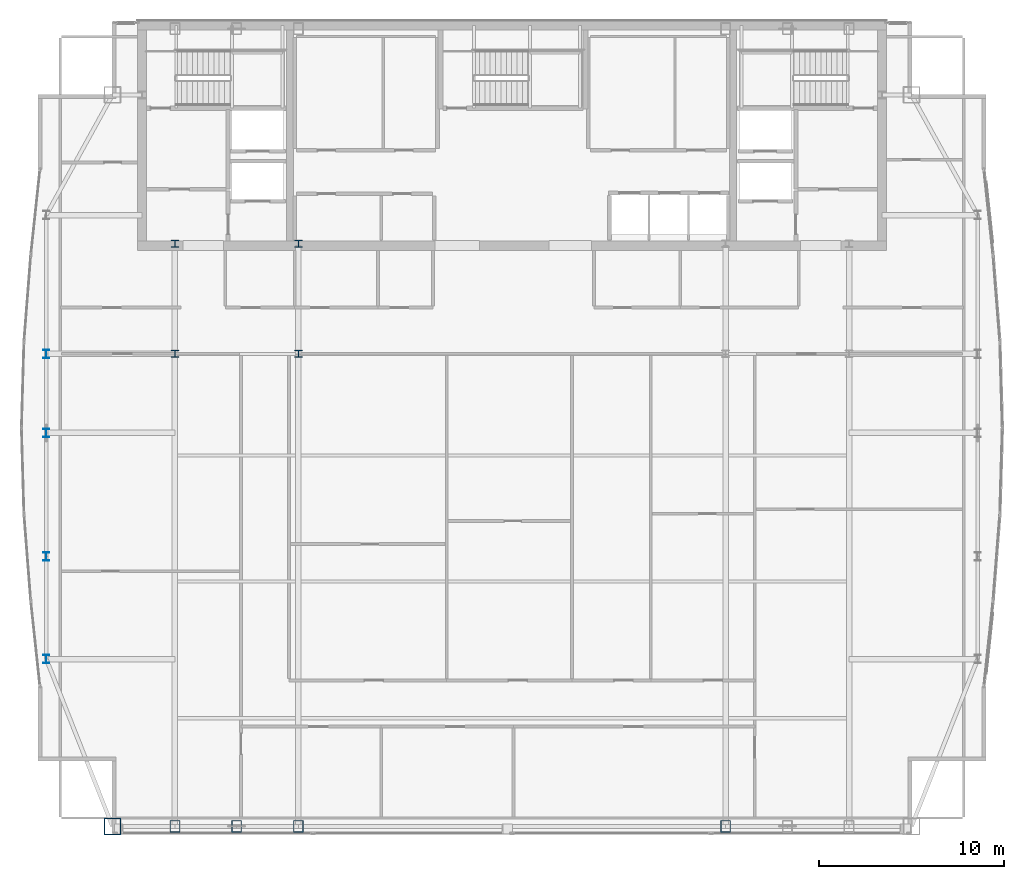
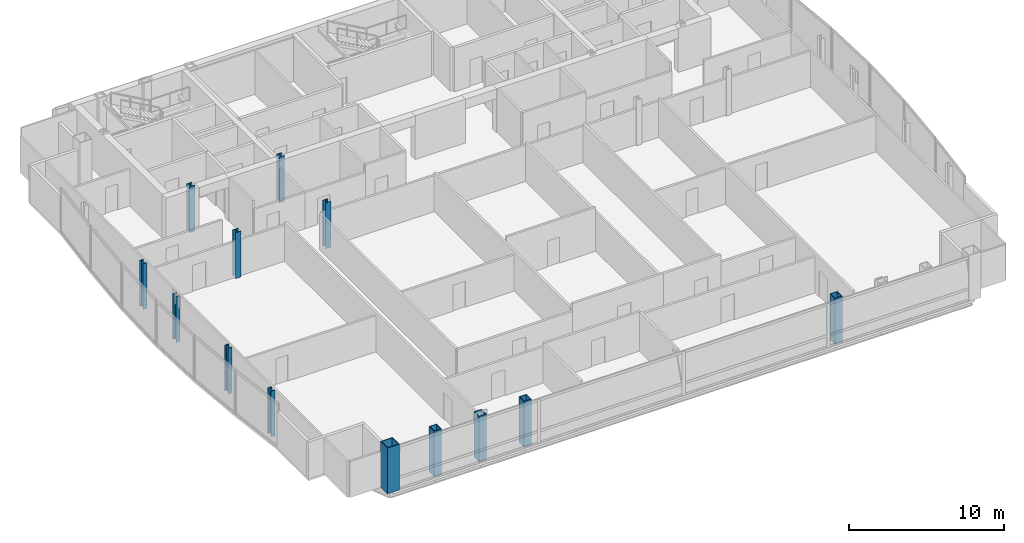
# One storey, part 1 of 27: 13 columns.
"""IFC4 building model written with IfcOpenShell, lengths in metres."""

from ifc_helpers import new_model, si_unit, direction, frame, origin, origin_2d, place, context, subcontext, project, spatial, hollow_rectangle, i_section, extrude, material, material_profile, profile_set, type_object, element, save


model = new_model("IFC4")

# Units and contexts
model_context = context("Model", 3, precision=1e-05, world=origin(), true_north=direction((0.0, 1.0)))
body_context = subcontext(model_context, "Body", "Model", "MODEL_VIEW")
ifc_project = project(units=[si_unit("LENGTHUNIT", "METRE"), si_unit("AREAUNIT", "SQUARE_METRE"), si_unit("VOLUMEUNIT", "CUBIC_METRE"), si_unit("PLANEANGLEUNIT", "RADIAN"), si_unit("MASSUNIT", "GRAM", prefix="KILO")], contexts=[model_context])

# Site, building, storey
site_placement = place(None, origin())
site = spatial("IfcSite", under=ifc_project, at=site_placement, CompositionType="ELEMENT")
building_placement = place(site_placement, origin())
building = spatial("IfcBuilding", under=site, at=building_placement, Name="Khoronbel Lancet Exchange", CompositionType="ELEMENT")
storey_placement = place(building_placement, frame((0.0, 0.0, 343.39990234375)))
storey = spatial("IfcBuildingStorey", under=building, at=storey_placement, Name="L89", CompositionType="ELEMENT", Elevation=343.39990234375)

# Columns
ifc_material_1 = material(Name="Steel S460", Category="steel")
ifc_material_profile_1 = material_profile(ifc_material_1, hollow_rectangle(XDim=0.550048828125, YDim=0.64990234375, WallThickness=0.0400390625, at=origin_2d()), Name="BOX 650x550x40")
ifc_profile_set_1 = profile_set([ifc_material_profile_1], Name="Steel S460")
column_type_1 = type_object("IfcColumnType", Name="COL-EC4", PredefinedType="COLUMN", material=ifc_profile_set_1)
for number, where, z_axis, x_axis, name in (
    (1, (18.22509765625, 10.14990234375, 0.0), (0.0, 0.0, 1.0), (1.0, 0.0, 0.0), "Structural column SC-W1 L89"),
    (2, (21.5625, 10.14990234375, 0.0), (0.0, 0.0, 1.0), (1.0, 0.0, 0.0), "Structural column SC-WM L89"),
    (3, (24.89990234375, 10.14990234375, 0.0), (0.0, 0.0, 1.0), (1.0, 0.0, 0.0), "Structural column SC-W2 L89"),
    (4, (48.0, 10.14990234375, 0.0), (0.0, 0.0, 1.0), (1.0, 0.0, 0.0), "Structural column SC-E1 L89"),
):
    element("IfcColumn", number, at=place(storey_placement, frame(where, z_axis=z_axis, x_axis=x_axis)), inside=storey, type_object=column_type_1, Name=name, PredefinedType="COLUMN", context=body_context, shape_type="SweptSolid", body=[
        extrude(hollow_rectangle(XDim=0.550048828125, YDim=0.64990234375, WallThickness=0.0400390625, at=origin_2d()), origin(), (0.0, 0.0, 1.0), 3.60009765625),
    ])
ifc_material_2 = material(Name="Steel S355", Category="steel")
ifc_material_profile_2 = material_profile(ifc_material_2, i_section(OverallWidth=0.39892578125, OverallDepth=0.39306640625, WebThickness=0.022705078125, FlangeThickness=0.03662109375, at=origin_2d()), Name="HD 400x287")
ifc_profile_set_2 = profile_set([ifc_material_profile_2], Name="Steel S355")
column_type_2 = type_object("IfcColumnType", Name="COL-IC4", PredefinedType="COLUMN", material=ifc_profile_set_2)
for number, where, z_axis, x_axis, name in (
    (5, (18.22509765625, 35.699951171875, 0.0), (0.0, 0.0, 1.0), (1.0, 0.0, 0.0), "Spine gravity column TC1 L89"),
    (6, (18.22509765625, 41.64990234375, 0.0), (0.0, 0.0, 1.0), (1.0, 0.0, 0.0), "Core-embedded steel column CTC1 L89"),
    (7, (24.89990234375, 35.699951171875, 0.0), (0.0, 0.0, 1.0), (1.0, 0.0, 0.0), "Spine gravity column TC2 L89"),
    (8, (24.89990234375, 41.64990234375, 0.0), (0.0, 0.0, 1.0), (1.0, 0.0, 0.0), "Core-embedded steel column CTC2 L89"),
):
    element("IfcColumn", number, at=place(storey_placement, frame(where, z_axis=z_axis, x_axis=x_axis)), inside=storey, type_object=column_type_2, Name=name, PredefinedType="COLUMN", context=body_context, shape_type="SweptSolid", body=[
        extrude(i_section(OverallWidth=0.39892578125, OverallDepth=0.39306640625, WebThickness=0.022705078125, FlangeThickness=0.03662109375, at=origin_2d()), origin(), (0.0, 0.0, 1.0), 3.60009765625),
    ])
ifc_material_profile_3 = material_profile(ifc_material_2, i_section(OverallWidth=0.300048828125, OverallDepth=0.449951171875, WebThickness=0.013916015625, FlangeThickness=0.02587890625, at=origin_2d()), Name="HEB 450")
ifc_profile_set_3 = profile_set([ifc_material_profile_3], Name="Steel S355")
column_type_3 = type_object("IfcColumnType", Name="COL-LC2", PredefinedType="COLUMN", material=ifc_profile_set_3)
for number, where, z_axis, x_axis, name in (
    (9, (11.27001953125, 19.199951171875, 0.0), (0.0, 0.0, 1.0), (1.0, 0.0, 0.0), "Structural column WC-1 L89"),
    (10, (11.27001953125, 24.75, 0.0), (0.0, 0.0, 1.0), (1.0, 0.0, 0.0), "Structural column WC-2 L89"),
    (11, (11.27001953125, 31.425048828125, 0.0), (0.0, 0.0, 1.0), (1.0, 0.0, 0.0), "Structural column WC-M L89"),
    (12, (11.27001953125, 35.699951171875, 0.0), (0.0, 0.0, 1.0), (1.0, 0.0, 0.0), "Structural column WC-3 L89"),
):
    element("IfcColumn", number, at=place(storey_placement, frame(where, z_axis=z_axis, x_axis=x_axis)), inside=storey, type_object=column_type_3, Name=name, PredefinedType="COLUMN", context=body_context, shape_type="SweptSolid", body=[
        extrude(i_section(OverallWidth=0.300048828125, OverallDepth=0.449951171875, WebThickness=0.013916015625, FlangeThickness=0.02587890625, at=origin_2d()), origin(), (0.0, 0.0, 1.0), 3.60009765625),
    ])
ifc_material_profile_4 = material_profile(ifc_material_1, hollow_rectangle(XDim=0.89990234375, YDim=0.89990234375, WallThickness=0.050048828125, at=origin_2d()), Name="BOX 900x900x50")
ifc_profile_set_4 = profile_set([ifc_material_profile_4], Name="Steel S460")
column_type_4 = type_object("IfcColumnType", Name="COL-MC7", PredefinedType="COLUMN", material=ifc_profile_set_4)
column_placement = place(storey_placement, frame((14.85009765625, 10.14990234375, 0.0), z_axis=(0.0, 0.0, 1.0), x_axis=(1.0, 0.0, 0.0)))
element("IfcColumn", 13, at=column_placement, inside=storey, type_object=column_type_4, Name="Structural column MC-SW L89", PredefinedType="COLUMN", context=body_context, shape_type="SweptSolid", body=[
    extrude(hollow_rectangle(XDim=0.89990234375, YDim=0.89990234375, WallThickness=0.050048828125, at=origin_2d()), origin(), (0.0, 0.0, 1.0), 3.60009765625),
])

save(model, "model.ifc")
